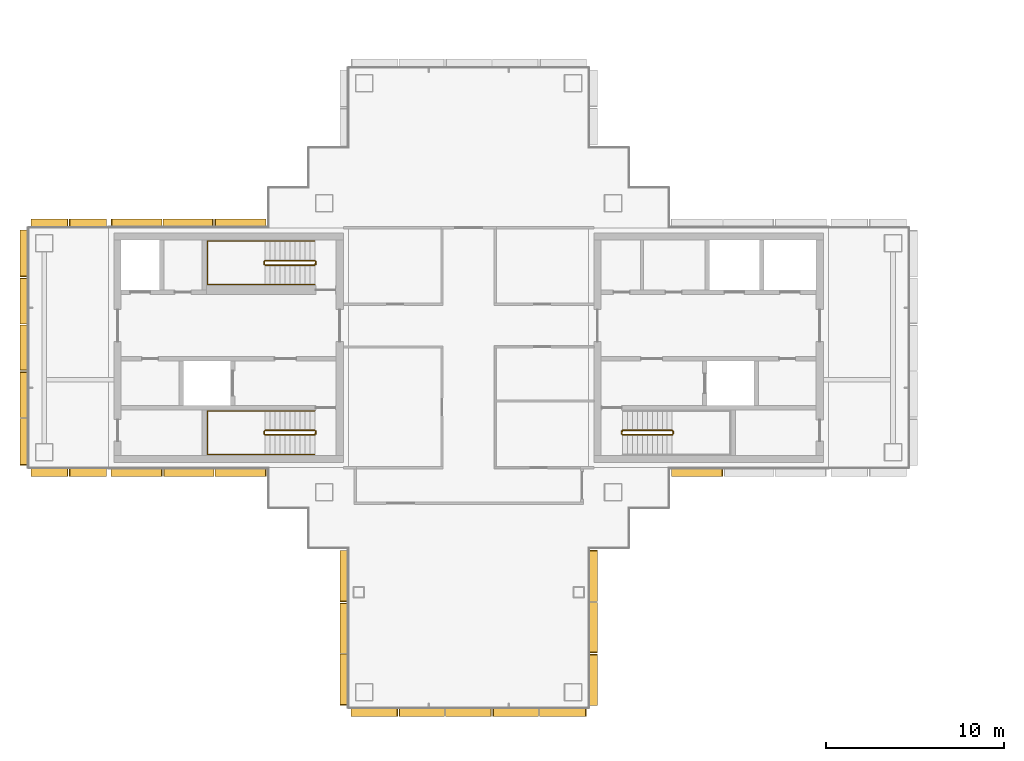
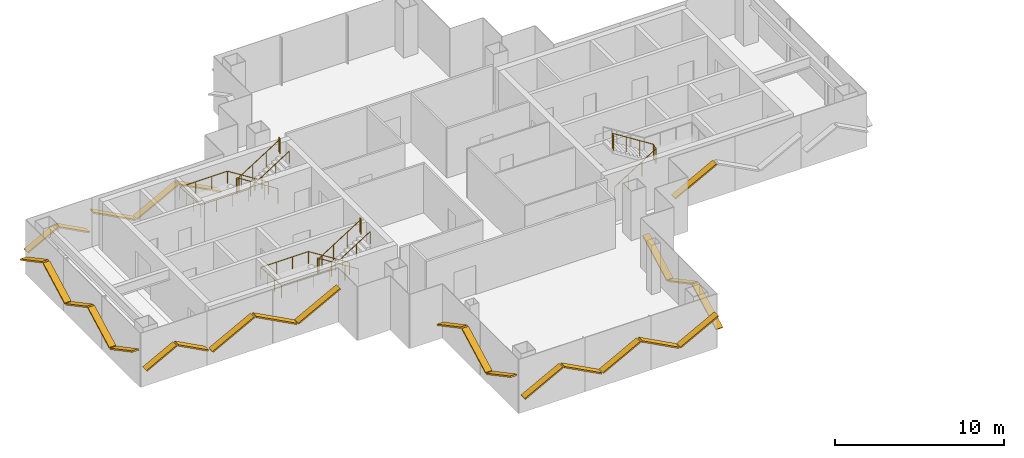
# One storey, part 14 of 17: 27 shading devices, 5 railings.
"""IFC4 building model written with IfcOpenShell, lengths in metres."""

from ifc_helpers import new_model, si_unit, direction, frame, origin, origin_2d, place, context, subcontext, project, spatial, rectangle, circle, extrude, material, material_profile, profile_set, type_object, element, save


model = new_model("IFC4")

# Units and contexts
model_context = context("Model", 3, precision=1e-05, world=origin(), true_north=direction((0.0, 1.0)))
body_context = subcontext(model_context, "Body", "Model", "MODEL_VIEW")
ifc_project = project(units=[si_unit("LENGTHUNIT", "METRE"), si_unit("AREAUNIT", "SQUARE_METRE"), si_unit("VOLUMEUNIT", "CUBIC_METRE"), si_unit("PLANEANGLEUNIT", "RADIAN"), si_unit("MASSUNIT", "GRAM", prefix="KILO")], contexts=[model_context])

# Site, building, storey
site_placement = place(None, origin())
site = spatial("IfcSite", under=ifc_project, at=site_placement, CompositionType="ELEMENT")
building_placement = place(site_placement, origin())
building = spatial("IfcBuilding", under=site, at=building_placement, Name="Shamsa Quay Exchange Towers", CompositionType="ELEMENT")
storey_placement = place(building_placement, frame((0.0, 0.0, 198.300048828125)))
storey = spatial("IfcBuildingStorey", under=building, at=storey_placement, Name="L47", CompositionType="ELEMENT", Elevation=198.300048828125)

# Shading devices
ifc_material_1 = material(Name="Aluminium EN AW-6063 T6, black anodised", Category="aluminium")
ifc_material_profile = material_profile(ifc_material_1, rectangle(XDim=0.449951171875, YDim=0.10009765625, at=origin_2d()), Name="FIN450x100")
ifc_profile_set = profile_set([ifc_material_profile], Name="Aluminium EN AW-6063 T6, black anodised")
shading_device_type = type_object("IfcShadingDeviceType", Name="FIN 450x100 BLACK ALUMINIUM", PredefinedType="USERDEFINED", material=ifc_profile_set)
shading_device_1_placement = place(storey_placement, frame((-40.764892578125, -11.43798828125, 0.845703125), z_axis=(0.0, -0.882964189293, 0.469440348102), x_axis=(1.0, 0.0, 0.0)))
element("IfcShadingDevice", 1, at=shading_device_1_placement, inside=storey, type_object=shading_device_type, Name="FIN T1 chevron rib", ObjectType="FIN", PredefinedType="USERDEFINED", context=body_context, shape_type="SweptSolid", body=[
    extrude(rectangle(XDim=0.449951171875, YDim=0.10009765625, at=origin_2d()), origin(), (0.0, 0.0, 1.0), 3.21337890625),
])
shading_device_2_placement = place(storey_placement, frame((-40.764892578125, -14.375244140625, 2.341064453125), z_axis=(0.0, -0.882932416125, -0.469500104957), x_axis=(1.0, 0.0, 0.0)))
element("IfcShadingDevice", 2, at=shading_device_2_placement, inside=storey, type_object=shading_device_type, Name="FIN T1 chevron rib", ObjectType="FIN", PredefinedType="USERDEFINED", context=body_context, shape_type="SweptSolid", body=[
    extrude(rectangle(XDim=0.449951171875, YDim=0.10009765625, at=origin_2d()), origin(), (0.0, 0.0, 1.0), 3.156982421875),
])
shading_device_3_placement = place(storey_placement, frame((-40.764892578125, -17.2626953125, 0.845703125), z_axis=(0.0, -0.882964189293, 0.469440348102), x_axis=(1.0, 0.0, 0.0)))
element("IfcShadingDevice", 3, at=shading_device_3_placement, inside=storey, type_object=shading_device_type, Name="FIN T1 chevron rib", ObjectType="FIN", PredefinedType="USERDEFINED", context=body_context, shape_type="SweptSolid", body=[
    extrude(rectangle(XDim=0.449951171875, YDim=0.10009765625, at=origin_2d()), origin(), (0.0, 0.0, 1.0), 3.21337890625),
])
shading_device_4_placement = place(storey_placement, frame((-40.35009765625, -20.514892578125, 0.911376953125), z_axis=(0.882944327895, 0.0, 0.469477703238), x_axis=(0.0, 1.0, 0.0)))
element("IfcShadingDevice", 4, at=shading_device_4_placement, inside=storey, type_object=shading_device_type, Name="FIN T1 chevron rib", ObjectType="FIN", PredefinedType="USERDEFINED", context=body_context, shape_type="SweptSolid", body=[
    extrude(rectangle(XDim=0.449951171875, YDim=0.10009765625, at=origin_2d()), origin(), (0.0, 0.0, 1.0), 2.933349609375),
])
shading_device_5_placement = place(storey_placement, frame((-37.659912109375, -20.514892578125, 2.275146484375), z_axis=(0.882925540975, 0.0, -0.469513033997), x_axis=(0.0, 1.0, 0.0)))
element("IfcShadingDevice", 5, at=shading_device_5_placement, inside=storey, type_object=shading_device_type, Name="FIN T1 chevron rib", ObjectType="FIN", PredefinedType="USERDEFINED", context=body_context, shape_type="SweptSolid", body=[
    extrude(rectangle(XDim=0.449951171875, YDim=0.10009765625, at=origin_2d()), origin(), (0.0, 0.0, 1.0), 2.87646484375),
])
shading_device_6_placement = place(storey_placement, frame((-35.02001953125, -20.514892578125, 0.924560546875), z_axis=(0.882944248312, 0.0, 0.469477852909), x_axis=(0.0, 1.0, 0.0)))
element("IfcShadingDevice", 6, at=shading_device_6_placement, inside=storey, type_object=shading_device_type, Name="FIN T1 chevron rib", ObjectType="FIN", PredefinedType="USERDEFINED", context=body_context, shape_type="SweptSolid", body=[
    extrude(rectangle(XDim=0.449951171875, YDim=0.10009765625, at=origin_2d()), origin(), (0.0, 0.0, 1.0), 2.876708984375),
])
shading_device_7_placement = place(storey_placement, frame((-32.3798828125, -20.514892578125, 2.275146484375), z_axis=(0.882925540975, 0.0, -0.469513033997), x_axis=(0.0, 1.0, 0.0)))
element("IfcShadingDevice", 7, at=shading_device_7_placement, inside=storey, type_object=shading_device_type, Name="FIN T1 chevron rib", ObjectType="FIN", PredefinedType="USERDEFINED", context=body_context, shape_type="SweptSolid", body=[
    extrude(rectangle(XDim=0.449951171875, YDim=0.10009765625, at=origin_2d()), origin(), (0.0, 0.0, 1.0), 2.87646484375),
])
shading_device_8_placement = place(storey_placement, frame((-29.739990234375, -20.514892578125, 0.911376953125), z_axis=(0.882944327895, 0.0, 0.469477703238), x_axis=(0.0, 1.0, 0.0)))
element("IfcShadingDevice", 8, at=shading_device_8_placement, inside=storey, type_object=shading_device_type, Name="FIN T1 chevron rib", ObjectType="FIN", PredefinedType="USERDEFINED", context=body_context, shape_type="SweptSolid", body=[
    extrude(rectangle(XDim=0.449951171875, YDim=0.10009765625, at=origin_2d()), origin(), (0.0, 0.0, 1.0), 2.933349609375),
])
shading_device_9_placement = place(storey_placement, frame((-26.735107421875, -20.10009765625, 0.84228515625), z_axis=(0.0, 0.882953107739, 0.469461190658), x_axis=(-1.0, 0.0, 0.0)))
element("IfcShadingDevice", 9, at=shading_device_9_placement, inside=storey, type_object=shading_device_type, Name="FIN T1 chevron rib", ObjectType="FIN", PredefinedType="USERDEFINED", context=body_context, shape_type="SweptSolid", body=[
    extrude(rectangle(XDim=0.449951171875, YDim=0.10009765625, at=origin_2d()), origin(), (0.0, 0.0, 1.0), 3.22802734375),
])
shading_device_10_placement = place(storey_placement, frame((-26.735107421875, -17.14990234375, 2.34423828125), z_axis=(0.0, 0.882936223509, -0.469492944799), x_axis=(-1.0, 0.0, 0.0)))
element("IfcShadingDevice", 10, at=shading_device_10_placement, inside=storey, type_object=shading_device_type, Name="FIN T1 chevron rib", ObjectType="FIN", PredefinedType="USERDEFINED", context=body_context, shape_type="SweptSolid", body=[
    extrude(rectangle(XDim=0.449951171875, YDim=0.10009765625, at=origin_2d()), origin(), (0.0, 0.0, 1.0), 3.1708984375),
])
shading_device_11_placement = place(storey_placement, frame((-26.735107421875, -14.25, 0.84228515625), z_axis=(0.0, 0.882953107739, 0.469461190658), x_axis=(-1.0, 0.0, 0.0)))
element("IfcShadingDevice", 11, at=shading_device_11_placement, inside=storey, type_object=shading_device_type, Name="FIN T1 chevron rib", ObjectType="FIN", PredefinedType="USERDEFINED", context=body_context, shape_type="SweptSolid", body=[
    extrude(rectangle(XDim=0.449951171875, YDim=0.10009765625, at=origin_2d()), origin(), (0.0, 0.0, 1.0), 3.22802734375),
])
for number, where, z_axis, x_axis, name in (
    (12, (-22.31201171875, -7.01904296875, 0.845703125), (0.882964189293, 0.0, 0.469440348102), (0.0, 1.0, 0.0), "FIN T1 chevron rib"),
    (13, (-45.18798828125, 7.01904296875, 0.845703125), (-0.882964189293, 0.0, 0.469440348102), (0.0, -1.0, 0.0), "FIN T1 chevron rib"),
):
    element("IfcShadingDevice", number, at=place(storey_placement, frame(where, z_axis=z_axis, x_axis=x_axis)), inside=storey, type_object=shading_device_type, Name=name, ObjectType="FIN", PredefinedType="USERDEFINED", context=body_context, shape_type="SweptSolid", body=[
        extrude(rectangle(XDim=0.449951171875, YDim=0.10009765625, at=origin_2d()), origin(), (0.0, 0.0, 1.0), 3.21337890625),
    ])
shading_device_12_placement = place(storey_placement, frame((-48.125244140625, 7.01904296875, 2.341064453125), z_axis=(-0.882932416125, 0.0, -0.469500104957), x_axis=(0.0, -1.0, 0.0)))
element("IfcShadingDevice", 14, at=shading_device_12_placement, inside=storey, type_object=shading_device_type, Name="FIN T1 chevron rib", ObjectType="FIN", PredefinedType="USERDEFINED", context=body_context, shape_type="SweptSolid", body=[
    extrude(rectangle(XDim=0.449951171875, YDim=0.10009765625, at=origin_2d()), origin(), (0.0, 0.0, 1.0), 3.156982421875),
])
shading_device_13_placement = place(storey_placement, frame((-51.0126953125, 7.01904296875, 0.845703125), z_axis=(-0.882964189293, 0.0, 0.469440348102), x_axis=(0.0, -1.0, 0.0)))
element("IfcShadingDevice", 15, at=shading_device_13_placement, inside=storey, type_object=shading_device_type, Name="FIN T1 chevron rib", ObjectType="FIN", PredefinedType="USERDEFINED", context=body_context, shape_type="SweptSolid", body=[
    extrude(rectangle(XDim=0.449951171875, YDim=0.10009765625, at=origin_2d()), origin(), (0.0, 0.0, 1.0), 3.21337890625),
])
for number, where, z_axis, x_axis, name in (
    (16, (-54.14990234375, 7.014892578125, 1.054931640625), (-0.882937310539, 0.0, 0.469490900507), (0.0, -1.0, 0.0), "FIN T1 chevron rib"),
    (17, (-56.300048828125, 7.014892578125, 2.14501953125), (-0.882937310539, 0.0, -0.469490900507), (0.0, -1.0, 0.0), "FIN T1 chevron rib"),
):
    element("IfcShadingDevice", number, at=place(storey_placement, frame(where, z_axis=z_axis, x_axis=x_axis)), inside=storey, type_object=shading_device_type, Name=name, ObjectType="FIN", PredefinedType="USERDEFINED", context=body_context, shape_type="SweptSolid", body=[
        extrude(rectangle(XDim=0.449951171875, YDim=0.10009765625, at=origin_2d()), origin(), (0.0, 0.0, 1.0), 2.32177734375),
    ])
shading_device_14_placement = place(storey_placement, frame((-58.764892578125, 6.60009765625, 0.911376953125), z_axis=(0.0, -0.882944327895, 0.469477703238), x_axis=(1.0, 0.0, 0.0)))
element("IfcShadingDevice", 18, at=shading_device_14_placement, inside=storey, type_object=shading_device_type, Name="FIN T1 chevron rib", ObjectType="FIN", PredefinedType="USERDEFINED", context=body_context, shape_type="SweptSolid", body=[
    extrude(rectangle(XDim=0.449951171875, YDim=0.10009765625, at=origin_2d()), origin(), (0.0, 0.0, 1.0), 2.933349609375),
])
shading_device_15_placement = place(storey_placement, frame((-58.764892578125, 3.909912109375, 2.275146484375), z_axis=(0.0, -0.882925540975, -0.469513033997), x_axis=(1.0, 0.0, 0.0)))
element("IfcShadingDevice", 19, at=shading_device_15_placement, inside=storey, type_object=shading_device_type, Name="FIN T1 chevron rib", ObjectType="FIN", PredefinedType="USERDEFINED", context=body_context, shape_type="SweptSolid", body=[
    extrude(rectangle(XDim=0.449951171875, YDim=0.10009765625, at=origin_2d()), origin(), (0.0, 0.0, 1.0), 2.87646484375),
])
shading_device_16_placement = place(storey_placement, frame((-58.764892578125, 1.27001953125, 0.924560546875), z_axis=(0.0, -0.882944248312, 0.469477852909), x_axis=(1.0, 0.0, 0.0)))
element("IfcShadingDevice", 20, at=shading_device_16_placement, inside=storey, type_object=shading_device_type, Name="FIN T1 chevron rib", ObjectType="FIN", PredefinedType="USERDEFINED", context=body_context, shape_type="SweptSolid", body=[
    extrude(rectangle(XDim=0.449951171875, YDim=0.10009765625, at=origin_2d()), origin(), (0.0, 0.0, 1.0), 2.876708984375),
])
shading_device_17_placement = place(storey_placement, frame((-58.764892578125, -1.3701171875, 2.275146484375), z_axis=(0.0, -0.882925540975, -0.469513033997), x_axis=(1.0, 0.0, 0.0)))
element("IfcShadingDevice", 21, at=shading_device_17_placement, inside=storey, type_object=shading_device_type, Name="FIN T1 chevron rib", ObjectType="FIN", PredefinedType="USERDEFINED", context=body_context, shape_type="SweptSolid", body=[
    extrude(rectangle(XDim=0.449951171875, YDim=0.10009765625, at=origin_2d()), origin(), (0.0, 0.0, 1.0), 2.87646484375),
])
shading_device_18_placement = place(storey_placement, frame((-58.764892578125, -4.010009765625, 0.911376953125), z_axis=(0.0, -0.882944327895, 0.469477703238), x_axis=(1.0, 0.0, 0.0)))
element("IfcShadingDevice", 22, at=shading_device_18_placement, inside=storey, type_object=shading_device_type, Name="FIN T1 chevron rib", ObjectType="FIN", PredefinedType="USERDEFINED", context=body_context, shape_type="SweptSolid", body=[
    extrude(rectangle(XDim=0.449951171875, YDim=0.10009765625, at=origin_2d()), origin(), (0.0, 0.0, 1.0), 2.933349609375),
])
for number, where, z_axis, x_axis, name in (
    (23, (-58.35009765625, -7.014892578125, 1.054931640625), (0.882937310539, 0.0, 0.469490900507), (0.0, 1.0, 0.0), "FIN T1 chevron rib"),
    (24, (-56.199951171875, -7.014892578125, 2.14501953125), (0.882937310539, 0.0, -0.469490900507), (0.0, 1.0, 0.0), "FIN T1 chevron rib"),
):
    element("IfcShadingDevice", number, at=place(storey_placement, frame(where, z_axis=z_axis, x_axis=x_axis)), inside=storey, type_object=shading_device_type, Name=name, ObjectType="FIN", PredefinedType="USERDEFINED", context=body_context, shape_type="SweptSolid", body=[
        extrude(rectangle(XDim=0.449951171875, YDim=0.10009765625, at=origin_2d()), origin(), (0.0, 0.0, 1.0), 2.32177734375),
    ])
shading_device_19_placement = place(storey_placement, frame((-53.85009765625, -7.01904296875, 0.84228515625), z_axis=(0.882953107739, 0.0, 0.469461190658), x_axis=(0.0, 1.0, 0.0)))
element("IfcShadingDevice", 25, at=shading_device_19_placement, inside=storey, type_object=shading_device_type, Name="FIN T1 chevron rib", ObjectType="FIN", PredefinedType="USERDEFINED", context=body_context, shape_type="SweptSolid", body=[
    extrude(rectangle(XDim=0.449951171875, YDim=0.10009765625, at=origin_2d()), origin(), (0.0, 0.0, 1.0), 3.22802734375),
])
shading_device_20_placement = place(storey_placement, frame((-50.89990234375, -7.01904296875, 2.34423828125), z_axis=(0.882936223509, 0.0, -0.469492944799), x_axis=(0.0, 1.0, 0.0)))
element("IfcShadingDevice", 26, at=shading_device_20_placement, inside=storey, type_object=shading_device_type, Name="FIN T1 chevron rib", ObjectType="FIN", PredefinedType="USERDEFINED", context=body_context, shape_type="SweptSolid", body=[
    extrude(rectangle(XDim=0.449951171875, YDim=0.10009765625, at=origin_2d()), origin(), (0.0, 0.0, 1.0), 3.1708984375),
])
shading_device_21_placement = place(storey_placement, frame((-48.0, -7.01904296875, 0.84228515625), z_axis=(0.882953107739, 0.0, 0.469461190658), x_axis=(0.0, 1.0, 0.0)))
element("IfcShadingDevice", 27, at=shading_device_21_placement, inside=storey, type_object=shading_device_type, Name="FIN T1 chevron rib", ObjectType="FIN", PredefinedType="USERDEFINED", context=body_context, shape_type="SweptSolid", body=[
    extrude(rectangle(XDim=0.449951171875, YDim=0.10009765625, at=origin_2d()), origin(), (0.0, 0.0, 1.0), 3.22802734375),
])

# Railings
ifc_material_2 = material(Name="Stainless steel", Category="steel")
railing_type_1 = type_object("IfcRailingType", Name="STAIR GUARD 1100", PredefinedType="GUARDRAIL", material=ifc_material_2)
railing_1_placement = place(storey_placement, frame((-25.10009765625, -4.89990234375, 0.17724609375)))
element("IfcRailing", 28, at=railing_1_placement, inside=storey, type_object=railing_type_1, Name="L47 ST1 stair guard 1", PredefinedType="GUARDRAIL", context=body_context, shape_type="SweptSolid", body=[
    extrude(circle(Radius=0.02392578125, at=origin_2d()), frame((0.0, 0.0, 1.076171875), z_axis=(0.844908973607, 0.0, 0.534910110503), x_axis=(0.0, 1.0, 0.0)), (0.0, 0.0, 1.0), 3.31396484375),
    extrude(circle(Radius=0.02392578125, at=origin_2d()), frame((2.800048828125, 0.0, 2.8486328125), z_axis=(0.708833529934, 0.705375805398, 0.0), x_axis=(-0.705375805398, 0.708833529934, 0.0)), (0.0, 0.0, 1.0), 0.070556640625),
    extrude(circle(Radius=0.02392578125, at=origin_2d()), frame((2.85009765625, 0.0498046875, 2.8486328125), z_axis=(0.0, 1.0, 0.0), x_axis=(-1.0, 0.0, 0.0)), (0.0, 0.0, 1.0), 0.150146484375),
    extrude(circle(Radius=0.02392578125, at=origin_2d()), frame((2.85009765625, 0.199951171875, 2.8486328125), z_axis=(-0.262233686654, 0.262233686654, 0.928691007369), x_axis=(-0.707106781187, -0.707106781187, 0.0)), (0.0, 0.0, 1.0), 0.19091796875),
    extrude(circle(Radius=0.02392578125, at=origin_2d()), frame((2.800048828125, 0.25, 3.02587890625), z_axis=(-0.844908973607, 0.0, 0.534910110503), x_axis=(0.0, -1.0, 0.0)), (0.0, 0.0, 1.0), 3.31396484375),
    extrude(circle(Radius=0.02392578125, at=origin_2d()), frame((0.0, 0.25, 4.798828125), z_axis=(-0.24142163986, -0.970420317083, 0.0), x_axis=(0.970420317083, -0.24142163986, 0.0)), (0.0, 0.0, 1.0), 0.206298828125),
    extrude(circle(Radius=0.02392578125, at=origin_2d()), frame((-0.0498046875, 0.0498046875, 4.798828125), z_axis=(0.0, 1.0, 0.0), x_axis=(-1.0, 0.0, 0.0)), (0.0, 0.0, 1.0), 0.150146484375),
    extrude(circle(Radius=0.02099609375, at=origin_2d()), origin(), (0.0, 0.0, 1.0), 1.052001953125),
    extrude(circle(Radius=0.02099609375, at=origin_2d()), frame((0.933349609375, 0.0, 0.5908203125)), (0.0, 0.0, 1.0), 1.052001953125),
    extrude(circle(Radius=0.02099609375, at=origin_2d()), frame((1.86669921875, 0.0, 1.181884765625)), (0.0, 0.0, 1.0), 1.052001953125),
    extrude(circle(Radius=0.02099609375, at=origin_2d()), frame((2.800048828125, 0.0, 1.772705078125)), (0.0, 0.0, 1.0), 1.052001953125),
    extrude(circle(Radius=0.02099609375, at=origin_2d()), frame((2.85009765625, 0.0498046875, 1.772705078125)), (0.0, 0.0, 1.0), 1.052001953125),
    extrude(circle(Radius=0.02099609375, at=origin_2d()), frame((2.85009765625, 0.199951171875, 1.772705078125)), (0.0, 0.0, 1.0), 1.052001953125),
    extrude(circle(Radius=0.02099609375, at=origin_2d()), frame((2.800048828125, 0.25, 1.949951171875)), (0.0, 0.0, 1.0), 1.052001953125),
    extrude(circle(Radius=0.02099609375, at=origin_2d()), frame((1.86669921875, 0.25, 2.540771484375)), (0.0, 0.0, 1.0), 1.052001953125),
    extrude(circle(Radius=0.02099609375, at=origin_2d()), frame((0.933349609375, 0.25, 3.1318359375)), (0.0, 0.0, 1.0), 1.052001953125),
    extrude(circle(Radius=0.02099609375, at=origin_2d()), frame((0.0, 0.25, 3.72265625)), (0.0, 0.0, 1.0), 1.052001953125),
    extrude(circle(Radius=0.02099609375, at=origin_2d()), frame((-0.0498046875, 0.0498046875, 3.72265625)), (0.0, 0.0, 1.0), 1.052001953125),
    extrude(circle(Radius=0.02099609375, at=origin_2d()), frame((-0.0498046875, 0.199951171875, 3.72265625)), (0.0, 0.0, 1.0), 1.052001953125),
])
railing_2_placement = place(storey_placement, frame((-42.39990234375, -4.64990234375, 0.17724609375)))
element("IfcRailing", 29, at=railing_2_placement, inside=storey, type_object=railing_type_1, Name="L47 ST2 stair guard 1", PredefinedType="GUARDRAIL", context=body_context, shape_type="SweptSolid", body=[
    extrude(circle(Radius=0.02392578125, at=origin_2d()), frame((0.0, 0.0, 1.076171875), z_axis=(-0.844908973607, 0.0, 0.534910110503), x_axis=(0.0, -1.0, 0.0)), (0.0, 0.0, 1.0), 3.31396484375),
    extrude(circle(Radius=0.02392578125, at=origin_2d()), frame((-2.800048828125, 0.0, 2.8486328125), z_axis=(-0.707106781187, -0.707106781187, 0.0), x_axis=(0.707106781187, -0.707106781187, 0.0)), (0.0, 0.0, 1.0), 0.07080078125),
    extrude(circle(Radius=0.02392578125, at=origin_2d()), frame((-2.85009765625, -0.050048828125, 2.8486328125), z_axis=(0.0, -1.0, 0.0), x_axis=(1.0, 0.0, 0.0)), (0.0, 0.0, 1.0), 0.150146484375),
    extrude(circle(Radius=0.02392578125, at=origin_2d()), frame((-2.85009765625, -0.2001953125, 2.8486328125), z_axis=(0.262321481514, -0.261041864531, 0.929001929653), x_axis=(0.705375805398, 0.708833529934, 0.0)), (0.0, 0.0, 1.0), 0.190673828125),
    extrude(circle(Radius=0.02392578125, at=origin_2d()), frame((-2.800048828125, -0.25, 3.02587890625), z_axis=(0.844908973607, 0.0, 0.534910110503), x_axis=(0.0, 1.0, 0.0)), (0.0, 0.0, 1.0), 3.31396484375),
    extrude(circle(Radius=0.02392578125, at=origin_2d()), frame((0.0, -0.25, 4.798828125), z_axis=(0.241699205484, 0.970351222016, 0.0), x_axis=(-0.970351222016, 0.241699205484, 0.0)), (0.0, 0.0, 1.0), 0.2060546875),
    extrude(circle(Radius=0.02392578125, at=origin_2d()), frame((0.0498046875, -0.050048828125, 4.798828125), z_axis=(0.0, -1.0, 0.0), x_axis=(1.0, 0.0, 0.0)), (0.0, 0.0, 1.0), 0.150146484375),
    extrude(circle(Radius=0.02099609375, at=origin_2d()), origin(), (0.0, 0.0, 1.0), 1.052001953125),
    extrude(circle(Radius=0.02099609375, at=origin_2d()), frame((-0.933349609375, 0.0, 0.5908203125)), (0.0, 0.0, 1.0), 1.052001953125),
    extrude(circle(Radius=0.02099609375, at=origin_2d()), frame((-1.86669921875, 0.0, 1.181884765625)), (0.0, 0.0, 1.0), 1.052001953125),
    extrude(circle(Radius=0.02099609375, at=origin_2d()), frame((-2.800048828125, 0.0, 1.772705078125)), (0.0, 0.0, 1.0), 1.052001953125),
    extrude(circle(Radius=0.02099609375, at=origin_2d()), frame((-2.85009765625, -0.050048828125, 1.772705078125)), (0.0, 0.0, 1.0), 1.052001953125),
    extrude(circle(Radius=0.02099609375, at=origin_2d()), frame((-2.85009765625, -0.2001953125, 1.772705078125)), (0.0, 0.0, 1.0), 1.052001953125),
    extrude(circle(Radius=0.02099609375, at=origin_2d()), frame((-2.800048828125, -0.25, 1.949951171875)), (0.0, 0.0, 1.0), 1.052001953125),
    extrude(circle(Radius=0.02099609375, at=origin_2d()), frame((-1.86669921875, -0.25, 2.540771484375)), (0.0, 0.0, 1.0), 1.052001953125),
    extrude(circle(Radius=0.02099609375, at=origin_2d()), frame((-0.933349609375, -0.25, 3.1318359375)), (0.0, 0.0, 1.0), 1.052001953125),
    extrude(circle(Radius=0.02099609375, at=origin_2d()), frame((0.0, -0.25, 3.72265625)), (0.0, 0.0, 1.0), 1.052001953125),
    extrude(circle(Radius=0.02099609375, at=origin_2d()), frame((0.0498046875, -0.050048828125, 3.72265625)), (0.0, 0.0, 1.0), 1.052001953125),
    extrude(circle(Radius=0.02099609375, at=origin_2d()), frame((0.0498046875, -0.2001953125, 3.72265625)), (0.0, 0.0, 1.0), 1.052001953125),
])
railing_3_placement = place(storey_placement, frame((-42.39990234375, 4.89990234375, 0.17724609375)))
element("IfcRailing", 30, at=railing_3_placement, inside=storey, type_object=railing_type_1, Name="L47 ST3 stair guard 1", PredefinedType="GUARDRAIL", context=body_context, shape_type="SweptSolid", body=[
    extrude(circle(Radius=0.02392578125, at=origin_2d()), frame((0.0, 0.0, 1.076171875), z_axis=(-0.844908973607, 0.0, 0.534910110503), x_axis=(0.0, -1.0, 0.0)), (0.0, 0.0, 1.0), 3.31396484375),
    extrude(circle(Radius=0.02392578125, at=origin_2d()), frame((-2.800048828125, 0.0, 2.8486328125), z_axis=(-0.708833529934, -0.705375805398, 0.0), x_axis=(0.705375805398, -0.708833529934, 0.0)), (0.0, 0.0, 1.0), 0.070556640625),
    extrude(circle(Radius=0.02392578125, at=origin_2d()), frame((-2.85009765625, -0.0498046875, 2.8486328125), z_axis=(0.0, -1.0, 0.0), x_axis=(1.0, 0.0, 0.0)), (0.0, 0.0, 1.0), 0.150146484375),
    extrude(circle(Radius=0.02392578125, at=origin_2d()), frame((-2.85009765625, -0.199951171875, 2.8486328125), z_axis=(0.262233686654, -0.262233686654, 0.928691007369), x_axis=(0.707106781187, 0.707106781187, 0.0)), (0.0, 0.0, 1.0), 0.19091796875),
    extrude(circle(Radius=0.02392578125, at=origin_2d()), frame((-2.800048828125, -0.25, 3.02587890625), z_axis=(0.844908973607, 0.0, 0.534910110503), x_axis=(0.0, 1.0, 0.0)), (0.0, 0.0, 1.0), 3.31396484375),
    extrude(circle(Radius=0.02392578125, at=origin_2d()), frame((0.0, -0.25, 4.798828125), z_axis=(0.24142163986, 0.970420317083, 0.0), x_axis=(-0.970420317083, 0.24142163986, 0.0)), (0.0, 0.0, 1.0), 0.206298828125),
    extrude(circle(Radius=0.02392578125, at=origin_2d()), frame((0.0498046875, -0.0498046875, 4.798828125), z_axis=(0.0, -1.0, 0.0), x_axis=(1.0, 0.0, 0.0)), (0.0, 0.0, 1.0), 0.150146484375),
    extrude(circle(Radius=0.02099609375, at=origin_2d()), origin(), (0.0, 0.0, 1.0), 1.052001953125),
    extrude(circle(Radius=0.02099609375, at=origin_2d()), frame((-0.933349609375, 0.0, 0.5908203125)), (0.0, 0.0, 1.0), 1.052001953125),
    extrude(circle(Radius=0.02099609375, at=origin_2d()), frame((-1.86669921875, 0.0, 1.181884765625)), (0.0, 0.0, 1.0), 1.052001953125),
    extrude(circle(Radius=0.02099609375, at=origin_2d()), frame((-2.800048828125, 0.0, 1.772705078125)), (0.0, 0.0, 1.0), 1.052001953125),
    extrude(circle(Radius=0.02099609375, at=origin_2d()), frame((-2.85009765625, -0.0498046875, 1.772705078125)), (0.0, 0.0, 1.0), 1.052001953125),
    extrude(circle(Radius=0.02099609375, at=origin_2d()), frame((-2.85009765625, -0.199951171875, 1.772705078125)), (0.0, 0.0, 1.0), 1.052001953125),
    extrude(circle(Radius=0.02099609375, at=origin_2d()), frame((-2.800048828125, -0.25, 1.949951171875)), (0.0, 0.0, 1.0), 1.052001953125),
    extrude(circle(Radius=0.02099609375, at=origin_2d()), frame((-1.86669921875, -0.25, 2.540771484375)), (0.0, 0.0, 1.0), 1.052001953125),
    extrude(circle(Radius=0.02099609375, at=origin_2d()), frame((-0.933349609375, -0.25, 3.1318359375)), (0.0, 0.0, 1.0), 1.052001953125),
    extrude(circle(Radius=0.02099609375, at=origin_2d()), frame((0.0, -0.25, 3.72265625)), (0.0, 0.0, 1.0), 1.052001953125),
    extrude(circle(Radius=0.02099609375, at=origin_2d()), frame((0.0498046875, -0.0498046875, 3.72265625)), (0.0, 0.0, 1.0), 1.052001953125),
    extrude(circle(Radius=0.02099609375, at=origin_2d()), frame((0.0498046875, -0.199951171875, 3.72265625)), (0.0, 0.0, 1.0), 1.052001953125),
])
railing_type_2 = type_object("IfcRailingType", Name="STAIR HANDRAIL 900", PredefinedType="HANDRAIL", material=ifc_material_2)
railing_4_placement = place(storey_placement, frame((-42.39990234375, -3.550048828125, 0.17724609375)))
element("IfcRailing", 31, at=railing_4_placement, inside=storey, type_object=railing_type_2, Name="L47 ST2 stair handrail 1", PredefinedType="HANDRAIL", context=body_context, shape_type="SweptSolid", body=[
    extrude(circle(Radius=0.02392578125, at=origin_2d()), frame((0.0, 0.0, 0.8759765625), z_axis=(-0.844908973607, 0.0, 0.534910110503), x_axis=(0.0, -1.0, 0.0)), (0.0, 0.0, 1.0), 3.31396484375),
    extrude(circle(Radius=0.02392578125, at=origin_2d()), frame((-2.800048828125, 0.0, 2.6484375), z_axis=(-1.0, 0.0, 0.0), x_axis=(0.0, -1.0, 0.0)), (0.0, 0.0, 1.0), 3.25),
    extrude(circle(Radius=0.02392578125, at=origin_2d()), frame((-6.050048828125, 0.0, 2.6484375), z_axis=(0.0, -0.997393199914, 0.07215819264), x_axis=(1.0, 0.0, 0.0)), (0.0, 0.0, 1.0), 2.456298828125),
    extrude(circle(Radius=0.02392578125, at=origin_2d()), frame((-6.050048828125, -2.449951171875, 2.82568359375), z_axis=(1.0, 0.0, 0.0), x_axis=(0.0, 1.0, 0.0)), (0.0, 0.0, 1.0), 3.25),
    extrude(circle(Radius=0.02392578125, at=origin_2d()), frame((-2.800048828125, -2.449951171875, 2.82568359375), z_axis=(0.844908973607, 0.0, 0.534910110503), x_axis=(0.0, 1.0, 0.0)), (0.0, 0.0, 1.0), 3.31396484375),
    extrude(circle(Radius=0.02099609375, at=origin_2d()), origin(), (0.0, 0.0, 1.0), 0.851806640625),
    extrude(circle(Radius=0.02099609375, at=origin_2d()), frame((-0.933349609375, 0.0, 0.5908203125)), (0.0, 0.0, 1.0), 0.851806640625),
    extrude(circle(Radius=0.02099609375, at=origin_2d()), frame((-1.86669921875, 0.0, 1.181884765625)), (0.0, 0.0, 1.0), 0.851806640625),
    extrude(circle(Radius=0.02099609375, at=origin_2d()), frame((-2.800048828125, 0.0, 1.772705078125)), (0.0, 0.0, 1.0), 0.851806640625),
    extrude(circle(Radius=0.02099609375, at=origin_2d()), frame((-3.88330078125, 0.0, 1.772705078125)), (0.0, 0.0, 1.0), 0.851806640625),
    extrude(circle(Radius=0.02099609375, at=origin_2d()), frame((-4.966796875, 0.0, 1.772705078125)), (0.0, 0.0, 1.0), 0.851806640625),
    extrude(circle(Radius=0.02099609375, at=origin_2d()), frame((-6.050048828125, 0.0, 1.772705078125)), (0.0, 0.0, 1.0), 0.851806640625),
    extrude(circle(Radius=0.02099609375, at=origin_2d()), frame((-6.050048828125, -0.816650390625, 1.831787109375)), (0.0, 0.0, 1.0), 0.851806640625),
    extrude(circle(Radius=0.02099609375, at=origin_2d()), frame((-6.050048828125, -1.63330078125, 1.890869140625)), (0.0, 0.0, 1.0), 0.851806640625),
    extrude(circle(Radius=0.02099609375, at=origin_2d()), frame((-6.050048828125, -2.449951171875, 1.949951171875)), (0.0, 0.0, 1.0), 0.851806640625),
    extrude(circle(Radius=0.02099609375, at=origin_2d()), frame((-4.966796875, -2.449951171875, 1.949951171875)), (0.0, 0.0, 1.0), 0.851806640625),
    extrude(circle(Radius=0.02099609375, at=origin_2d()), frame((-3.88330078125, -2.449951171875, 1.949951171875)), (0.0, 0.0, 1.0), 0.851806640625),
    extrude(circle(Radius=0.02099609375, at=origin_2d()), frame((-2.800048828125, -2.449951171875, 1.949951171875)), (0.0, 0.0, 1.0), 0.851806640625),
    extrude(circle(Radius=0.02099609375, at=origin_2d()), frame((-1.86669921875, -2.449951171875, 2.540771484375)), (0.0, 0.0, 1.0), 0.851806640625),
    extrude(circle(Radius=0.02099609375, at=origin_2d()), frame((-0.933349609375, -2.449951171875, 3.1318359375)), (0.0, 0.0, 1.0), 0.851806640625),
    extrude(circle(Radius=0.02099609375, at=origin_2d()), frame((0.0, -2.449951171875, 3.72265625)), (0.0, 0.0, 1.0), 0.851806640625),
])
railing_5_placement = place(storey_placement, frame((-42.39990234375, 6.0, 0.17724609375)))
element("IfcRailing", 32, at=railing_5_placement, inside=storey, type_object=railing_type_2, Name="L47 ST3 stair handrail 1", PredefinedType="HANDRAIL", context=body_context, shape_type="SweptSolid", body=[
    extrude(circle(Radius=0.02392578125, at=origin_2d()), frame((0.0, 0.0, 0.8759765625), z_axis=(-0.844908973607, 0.0, 0.534910110503), x_axis=(0.0, -1.0, 0.0)), (0.0, 0.0, 1.0), 3.31396484375),
    extrude(circle(Radius=0.02392578125, at=origin_2d()), frame((-2.800048828125, 0.0, 2.6484375), z_axis=(-1.0, 0.0, 0.0), x_axis=(0.0, -1.0, 0.0)), (0.0, 0.0, 1.0), 3.25),
    extrude(circle(Radius=0.02392578125, at=origin_2d()), frame((-6.050048828125, 0.0, 2.6484375), z_axis=(0.0, -0.997393199914, 0.07215819264), x_axis=(1.0, 0.0, 0.0)), (0.0, 0.0, 1.0), 2.456298828125),
    extrude(circle(Radius=0.02392578125, at=origin_2d()), frame((-6.050048828125, -2.449951171875, 2.82568359375), z_axis=(1.0, 0.0, 0.0), x_axis=(0.0, 1.0, 0.0)), (0.0, 0.0, 1.0), 3.25),
    extrude(circle(Radius=0.02392578125, at=origin_2d()), frame((-2.800048828125, -2.449951171875, 2.82568359375), z_axis=(0.844908973607, 0.0, 0.534910110503), x_axis=(0.0, 1.0, 0.0)), (0.0, 0.0, 1.0), 3.31396484375),
    extrude(circle(Radius=0.02099609375, at=origin_2d()), origin(), (0.0, 0.0, 1.0), 0.851806640625),
    extrude(circle(Radius=0.02099609375, at=origin_2d()), frame((-0.933349609375, 0.0, 0.5908203125)), (0.0, 0.0, 1.0), 0.851806640625),
    extrude(circle(Radius=0.02099609375, at=origin_2d()), frame((-1.86669921875, 0.0, 1.181884765625)), (0.0, 0.0, 1.0), 0.851806640625),
    extrude(circle(Radius=0.02099609375, at=origin_2d()), frame((-2.800048828125, 0.0, 1.772705078125)), (0.0, 0.0, 1.0), 0.851806640625),
    extrude(circle(Radius=0.02099609375, at=origin_2d()), frame((-3.88330078125, 0.0, 1.772705078125)), (0.0, 0.0, 1.0), 0.851806640625),
    extrude(circle(Radius=0.02099609375, at=origin_2d()), frame((-4.966796875, 0.0, 1.772705078125)), (0.0, 0.0, 1.0), 0.851806640625),
    extrude(circle(Radius=0.02099609375, at=origin_2d()), frame((-6.050048828125, 0.0, 1.772705078125)), (0.0, 0.0, 1.0), 0.851806640625),
    extrude(circle(Radius=0.02099609375, at=origin_2d()), frame((-6.050048828125, -0.816650390625, 1.831787109375)), (0.0, 0.0, 1.0), 0.851806640625),
    extrude(circle(Radius=0.02099609375, at=origin_2d()), frame((-6.050048828125, -1.63330078125, 1.890869140625)), (0.0, 0.0, 1.0), 0.851806640625),
    extrude(circle(Radius=0.02099609375, at=origin_2d()), frame((-6.050048828125, -2.449951171875, 1.949951171875)), (0.0, 0.0, 1.0), 0.851806640625),
    extrude(circle(Radius=0.02099609375, at=origin_2d()), frame((-4.966796875, -2.449951171875, 1.949951171875)), (0.0, 0.0, 1.0), 0.851806640625),
    extrude(circle(Radius=0.02099609375, at=origin_2d()), frame((-3.88330078125, -2.449951171875, 1.949951171875)), (0.0, 0.0, 1.0), 0.851806640625),
    extrude(circle(Radius=0.02099609375, at=origin_2d()), frame((-2.800048828125, -2.449951171875, 1.949951171875)), (0.0, 0.0, 1.0), 0.851806640625),
    extrude(circle(Radius=0.02099609375, at=origin_2d()), frame((-1.86669921875, -2.449951171875, 2.540771484375)), (0.0, 0.0, 1.0), 0.851806640625),
    extrude(circle(Radius=0.02099609375, at=origin_2d()), frame((-0.933349609375, -2.449951171875, 3.1318359375)), (0.0, 0.0, 1.0), 0.851806640625),
    extrude(circle(Radius=0.02099609375, at=origin_2d()), frame((0.0, -2.449951171875, 3.72265625)), (0.0, 0.0, 1.0), 0.851806640625),
])

save(model, "model.ifc")
